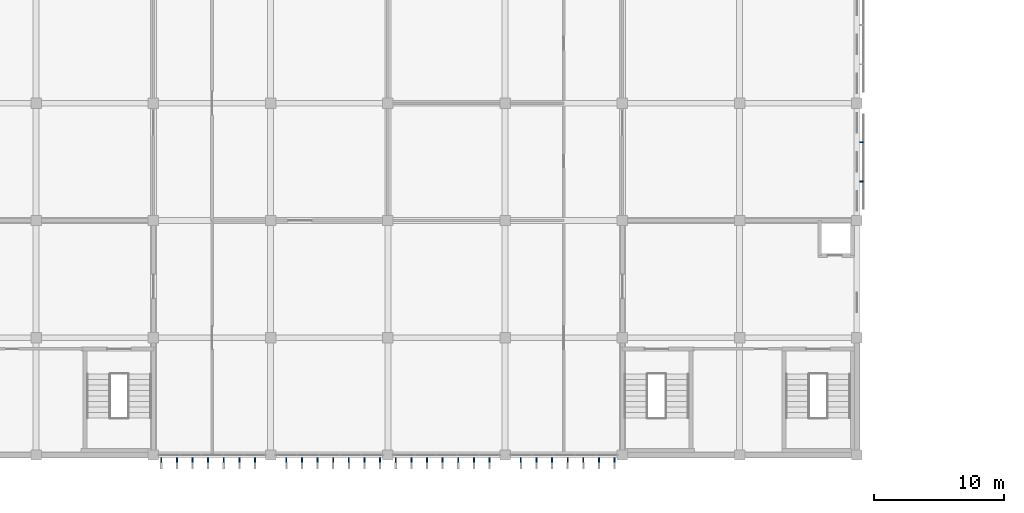
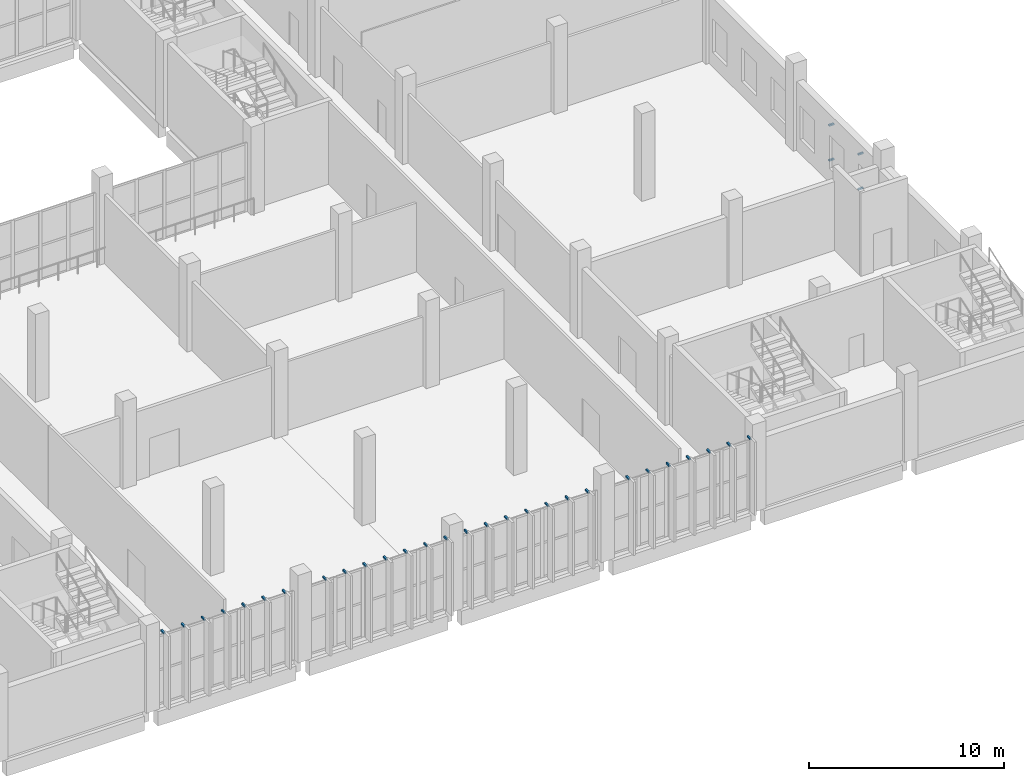
# One storey, part 135 of 185: 32 discrete accessories.
"""IFC4 building model written with IfcOpenShell, lengths in metres."""

from ifc_helpers import new_model, si_unit, direction, frame, origin, origin_2d, place, context, subcontext, project, spatial, rectangle, extrude, material, type_object, element, save


model = new_model("IFC4")

# Units and contexts
model_context = context("Model", 3, precision=1e-05, world=origin(), true_north=direction((0.0, 1.0)))
body_context = subcontext(model_context, "Body", "Model", "MODEL_VIEW")
ifc_project = project(units=[si_unit("LENGTHUNIT", "METRE"), si_unit("AREAUNIT", "SQUARE_METRE"), si_unit("VOLUMEUNIT", "CUBIC_METRE"), si_unit("PLANEANGLEUNIT", "RADIAN"), si_unit("MASSUNIT", "GRAM", prefix="KILO")], contexts=[model_context])

# Site, building, storey
site_placement = place(None, origin())
site = spatial("IfcSite", under=ifc_project, at=site_placement, CompositionType="ELEMENT")
building_placement = place(site_placement, origin())
building = spatial("IfcBuilding", under=site, at=building_placement, Name="Opaline Strait Convention Centre", CompositionType="ELEMENT")
storey_placement = place(building_placement, frame((0.0, 0.0, 6.0)))
storey = spatial("IfcBuildingStorey", under=building, at=storey_placement, Name="L01", CompositionType="ELEMENT", Elevation=6.0)

# Discrete accessories
ifc_material = material(Name="Stainless steel 316", Category="steel")
discrete_accessory_type_1 = type_object("IfcDiscreteAccessoryType", Name="Fin bracket stainless steel 316", PredefinedType="BRACKET", material=ifc_material)
for number, where, z_axis, x_axis, name in (
    (1, (27.60009765625, 8.612548828125, 4.719970703125), (0.0, 0.0, 1.0), (1.0, 0.0, 0.0), "Fin bracket S L01"),
    (2, (28.800048828125, 8.612548828125, 4.719970703125), (0.0, 0.0, 1.0), (1.0, 0.0, 0.0), "Fin bracket S L01"),
    (3, (30.0, 8.612548828125, 4.719970703125), (0.0, 0.0, 1.0), (1.0, 0.0, 0.0), "Fin bracket S L01"),
    (4, (31.199951171875, 8.612548828125, 4.719970703125), (0.0, 0.0, 1.0), (1.0, 0.0, 0.0), "Fin bracket S L01"),
    (5, (32.39990234375, 8.612548828125, 4.719970703125), (0.0, 0.0, 1.0), (1.0, 0.0, 0.0), "Fin bracket S L01"),
    (6, (33.60009765625, 8.612548828125, 4.719970703125), (0.0, 0.0, 1.0), (1.0, 0.0, 0.0), "Fin bracket S L01"),
    (7, (34.800048828125, 8.612548828125, 4.719970703125), (0.0, 0.0, 1.0), (1.0, 0.0, 0.0), "Fin bracket S L01"),
    (8, (37.199951171875, 8.612548828125, 4.719970703125), (0.0, 0.0, 1.0), (1.0, 0.0, 0.0), "Fin bracket S L01"),
    (9, (38.39990234375, 8.612548828125, 4.719970703125), (0.0, 0.0, 1.0), (1.0, 0.0, 0.0), "Fin bracket S L01"),
    (10, (39.60009765625, 8.612548828125, 4.719970703125), (0.0, 0.0, 1.0), (1.0, 0.0, 0.0), "Fin bracket S L01"),
    (11, (40.800048828125, 8.612548828125, 4.719970703125), (0.0, 0.0, 1.0), (1.0, 0.0, 0.0), "Fin bracket S L01"),
    (12, (42.0, 8.612548828125, 4.719970703125), (0.0, 0.0, 1.0), (1.0, 0.0, 0.0), "Fin bracket S L01"),
    (13, (43.199951171875, 8.612548828125, 4.719970703125), (0.0, 0.0, 1.0), (1.0, 0.0, 0.0), "Fin bracket S L01"),
    (14, (44.39990234375, 8.612548828125, 4.719970703125), (0.0, 0.0, 1.0), (1.0, 0.0, 0.0), "Fin bracket S L01"),
    (15, (45.60009765625, 8.612548828125, 4.719970703125), (0.0, 0.0, 1.0), (1.0, 0.0, 0.0), "Fin bracket S L01"),
    (16, (46.800048828125, 8.612548828125, 4.719970703125), (0.0, 0.0, 1.0), (1.0, 0.0, 0.0), "Fin bracket S L01"),
    (17, (48.0, 8.612548828125, 4.719970703125), (0.0, 0.0, 1.0), (1.0, 0.0, 0.0), "Fin bracket S L01"),
    (18, (49.199951171875, 8.612548828125, 4.719970703125), (0.0, 0.0, 1.0), (1.0, 0.0, 0.0), "Fin bracket S L01"),
    (19, (50.39990234375, 8.612548828125, 4.719970703125), (0.0, 0.0, 1.0), (1.0, 0.0, 0.0), "Fin bracket S L01"),
    (20, (51.60009765625, 8.612548828125, 4.719970703125), (0.0, 0.0, 1.0), (1.0, 0.0, 0.0), "Fin bracket S L01"),
    (21, (52.800048828125, 8.612548828125, 4.719970703125), (0.0, 0.0, 1.0), (1.0, 0.0, 0.0), "Fin bracket S L01"),
    (22, (55.199951171875, 8.612548828125, 4.719970703125), (0.0, 0.0, 1.0), (1.0, 0.0, 0.0), "Fin bracket S L01"),
    (23, (56.39990234375, 8.612548828125, 4.719970703125), (0.0, 0.0, 1.0), (1.0, 0.0, 0.0), "Fin bracket S L01"),
    (24, (57.60009765625, 8.612548828125, 4.719970703125), (0.0, 0.0, 1.0), (1.0, 0.0, 0.0), "Fin bracket S L01"),
    (25, (58.800048828125, 8.612548828125, 4.719970703125), (0.0, 0.0, 1.0), (1.0, 0.0, 0.0), "Fin bracket S L01"),
    (26, (60.0, 8.612548828125, 4.719970703125), (0.0, 0.0, 1.0), (1.0, 0.0, 0.0), "Fin bracket S L01"),
    (27, (61.199951171875, 8.612548828125, 4.719970703125), (0.0, 0.0, 1.0), (1.0, 0.0, 0.0), "Fin bracket S L01"),
    (28, (62.39990234375, 8.612548828125, 4.719970703125), (0.0, 0.0, 1.0), (1.0, 0.0, 0.0), "Fin bracket S L01"),
):
    element("IfcDiscreteAccessory", number, at=place(storey_placement, frame(where, z_axis=z_axis, x_axis=x_axis)), inside=storey, type_object=discrete_accessory_type_1, Name=name, PredefinedType="BRACKET", context=body_context, shape_type="SweptSolid", body=[
        extrude(rectangle(XDim=0.10009765625, YDim=0.324951171875, at=origin_2d()), origin(), (0.0, 0.0, 1.0), 0.10009765625),
    ])
discrete_accessory_type_2 = type_object("IfcDiscreteAccessoryType", Name="Screen bracket 300 stainless steel 316", PredefinedType="BRACKET", material=ifc_material)
for number, where, z_axis, x_axis, name in (
    (29, (81.35009765625, 30.0, 0.75), (0.0, 0.0, 1.0), (1.0, 0.0, 0.0), "Screen bracket L01 bay 3"),
    (30, (81.35009765625, 30.0, 2.949951171875), (0.0, 0.0, 1.0), (1.0, 0.0, 0.0), "Screen bracket L01 bay 3"),
    (31, (81.35009765625, 33.0, 0.75), (0.0, 0.0, 1.0), (1.0, 0.0, 0.0), "Screen bracket L01 bay 3"),
    (32, (81.35009765625, 33.0, 2.949951171875), (0.0, 0.0, 1.0), (1.0, 0.0, 0.0), "Screen bracket L01 bay 3"),
):
    element("IfcDiscreteAccessory", number, at=place(storey_placement, frame(where, z_axis=z_axis, x_axis=x_axis)), inside=storey, type_object=discrete_accessory_type_2, Name=name, PredefinedType="BRACKET", context=body_context, shape_type="SweptSolid", body=[
        extrude(rectangle(XDim=0.300048828125, YDim=0.10009765625, at=origin_2d()), origin(), (0.0, 0.0, 1.0), 0.10009765625),
    ])

save(model, "model.ifc")
